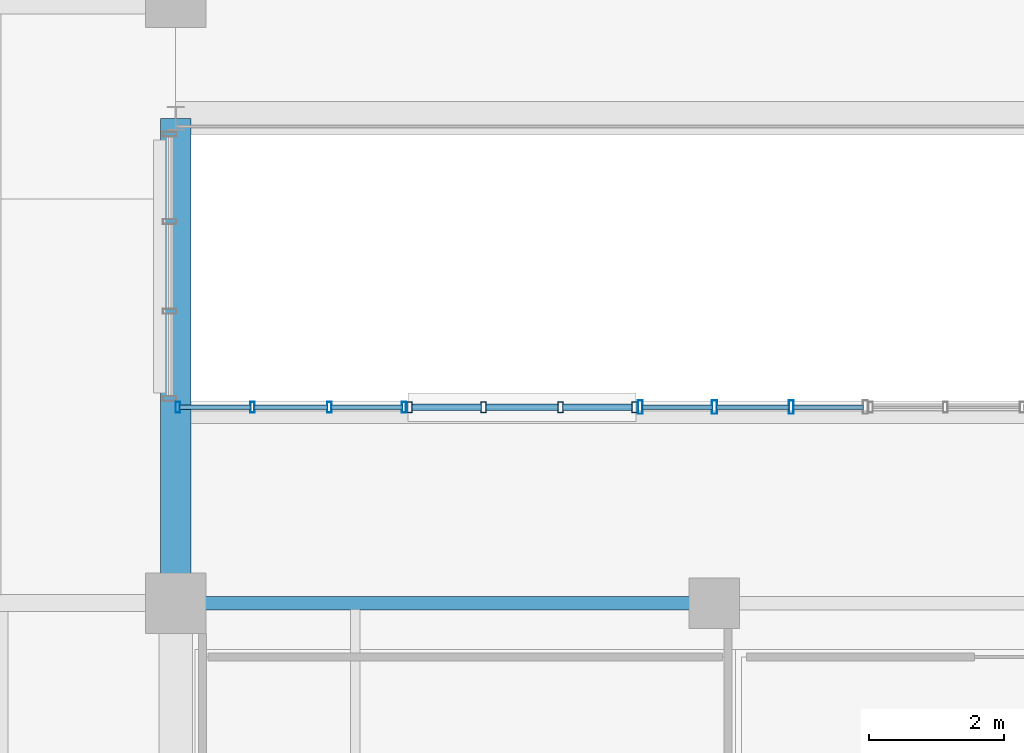
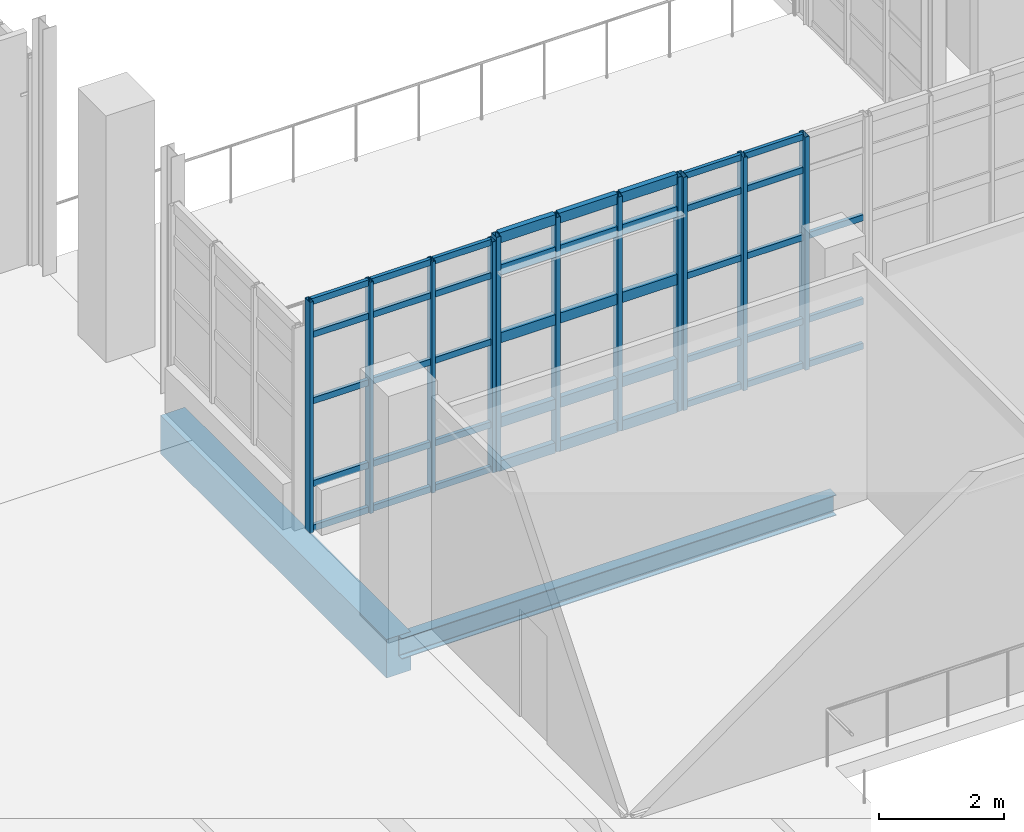
# One storey, part 30 of 127: 54 members, 2 beams, 3 elements without a shape of their own.
"""IFC4 building model written with IfcOpenShell, lengths in metres."""

import ifcopenshell
import ifcopenshell.guid

model = None  # the IFC model being written
_history = None  # IfcOwnerHistory: only IFC2X3 demands one
_inside = {}  # id of a spatial element -> (the spatial element, [elements in it])
_under = {}  # id of a project, library or spatial element -> (it, [spatial elements below it])
_declared = {}  # id of a project -> (the project, [libraries it declares])
_typed = {}  # id of a type object -> (the type object, [elements of that type])
_made_of = {}  # id of a material, layer set ... -> (it, [elements and type objects made of it])


def new_model(schema):
    """Start an empty IFC model of exactly this schema.

    Asked for "IFC4X3", IfcOpenShell would pick the latest addendum, in which some entities
    have other attributes; the version numbers below select the first issue.
    IFC2X3 requires an IfcOwnerHistory on every rooted entity: one is made here for all.
    """
    global model, _history
    if schema == "IFC4X3":
        model = ifcopenshell.file(schema_version=(4, 3, 0, 0))
    else:
        model = ifcopenshell.file(schema=schema)
    _inside.clear()
    _under.clear()
    _declared.clear()
    _typed.clear()
    _made_of.clear()
    _history = None
    if model.schema == "IFC2X3":
        org = make("IfcOrganization", Name="unknown")
        user = make(
            "IfcPersonAndOrganization",
            ThePerson=make("IfcPerson", FamilyName="unknown"),
            TheOrganization=org,
        )
        app = make(
            "IfcApplication",
            ApplicationDeveloper=org,
            Version="unknown",
            ApplicationFullName="unknown",
            ApplicationIdentifier="unknown",
        )
        _history = make(
            "IfcOwnerHistory",
            OwningUser=user,
            OwningApplication=app,
            ChangeAction="ADDED",
            CreationDate=0,
        )
    return model


def make(cls, **values):
    """One entity of the class cls with the attributes given. An attribute that is None is left unset."""
    return model.create_entity(
        cls, **{name: value for name, value in values.items() if value is not None}
    )


def rooted(cls, **values):
    """An entity with a GlobalId (a new one), such as an element, a storey or a relation."""
    return make(cls, GlobalId=ifcopenshell.guid.new(), OwnerHistory=_history, **values)


def si_unit(unit_type, name, prefix=None):
    """IfcSIUnit, for example si_unit("LENGTHUNIT", "METRE", prefix="MILLI")."""
    return make("IfcSIUnit", UnitType=unit_type, Prefix=prefix, Name=name)


def derived_unit(unit_type, elements):
    """IfcDerivedUnit: a product of units, each with its exponent."""
    return make(
        "IfcDerivedUnit",
        Elements=[
            make("IfcDerivedUnitElement", Unit=unit, Exponent=power)
            for unit, power in elements
        ],
        UnitType=unit_type,
    )


def assignment(units):
    """IfcUnitAssignment: the units of a project."""
    return None if units is None else make("IfcUnitAssignment", Units=units)


def point(xyz):
    """IfcCartesianPoint."""
    return None if xyz is None else make("IfcCartesianPoint", Coordinates=xyz)


def direction(xyz):
    """IfcDirection."""
    return None if xyz is None else make("IfcDirection", DirectionRatios=xyz)


def frame(location, z_axis=None, x_axis=None):
    """IfcAxis2Placement3D, a coordinate frame: its origin and axes. An axis left out is left unset."""
    return make(
        "IfcAxis2Placement3D",
        Location=point(location),
        Axis=direction(z_axis),
        RefDirection=direction(x_axis),
    )


def frame_2d(location, x_axis=None):
    """IfcAxis2Placement2D, a coordinate frame in the plane: its origin and x axis."""
    return make(
        "IfcAxis2Placement2D", Location=point(location), RefDirection=direction(x_axis)
    )


def origin():
    """The frame at (0, 0, 0) with its axes left unset."""
    return frame((0.0, 0.0, 0.0))


def origin_2d():
    """The frame at (0, 0) in the plane with its x axis left unset."""
    return frame_2d((0.0, 0.0))


def place(relative_to, where):
    """IfcLocalPlacement: puts the frame where relative to a parent placement (None: the world)."""
    return make(
        "IfcLocalPlacement", PlacementRelTo=relative_to, RelativePlacement=where
    )


def context(
    kind, dimensions, precision=None, world=None, true_north=None, identifier=None
):
    """IfcGeometricRepresentationContext, for example the 3D "Model" context."""
    return make(
        "IfcGeometricRepresentationContext",
        ContextIdentifier=identifier,
        ContextType=kind,
        CoordinateSpaceDimension=dimensions,
        Precision=precision,
        WorldCoordinateSystem=world,
        TrueNorth=true_north,
    )


def subcontext(parent, identifier, kind, view, scale=None):
    """IfcGeometricRepresentationSubContext, for example "Body" below "Model"."""
    return make(
        "IfcGeometricRepresentationSubContext",
        ContextIdentifier=identifier,
        ContextType=kind,
        ParentContext=parent,
        TargetScale=scale,
        TargetView=view,
    )


def project(units=None, contexts=None):
    """IfcProject with its units and contexts."""
    return rooted(
        "IfcProject",
        Name="project",
        RepresentationContexts=contexts,
        UnitsInContext=assignment(units),
    )


def spatial(cls, under=None, at=None, **own):
    """A site, building, storey or space (cls), placed at a placement, below another one or the project."""
    s = rooted(cls, ObjectPlacement=at, **own)
    if under is not None:
        _under.setdefault(under.id(), (under, []))[1].append(s)
    return s


def profile(cls, at=None, kind="AREA", **sizes):
    """A parametric profile (cls). Its sizes go by their IFC names, for example OverallWidth=200.0."""
    return make(cls, ProfileType=kind, Position=at, **sizes)


def rectangle(**sizes):
    """IfcRectangleProfileDef."""
    return profile("IfcRectangleProfileDef", **sizes)


def hollow_rectangle(**sizes):
    """IfcRectangleHollowProfileDef."""
    return profile("IfcRectangleHollowProfileDef", **sizes)


def i_section(**sizes):
    """IfcIShapeProfileDef."""
    return profile("IfcIShapeProfileDef", **sizes)


def extrude(swept, where, along, depth):
    """IfcExtrudedAreaSolid: the profile swept, set in the frame where, extruded along a direction by depth."""
    return make(
        "IfcExtrudedAreaSolid",
        SweptArea=swept,
        Position=where,
        ExtrudedDirection=direction(along),
        Depth=depth,
    )


def shape(context_of_items, identifier, shape_type, items):
    """IfcShapeRepresentation: the items that make up one representation, for example the "Body"."""
    return make(
        "IfcShapeRepresentation",
        ContextOfItems=context_of_items,
        RepresentationIdentifier=identifier,
        RepresentationType=shape_type,
        Items=items,
    )


def material(Name=None, Category=None):
    """IfcMaterial."""
    return make("IfcMaterial", Name=Name, Category=Category)


def layer(
    of_material, thickness, ventilated=None, Name=None, Category=None, Priority=None
):
    """IfcMaterialLayer: one layer of a wall or slab, of a material (None: an air gap)."""
    return make(
        "IfcMaterialLayer",
        Material=of_material,
        LayerThickness=thickness,
        IsVentilated=ventilated,
        Name=Name,
        Category=Category,
        Priority=Priority,
    )


def layer_set(layers, Name=None):
    """IfcMaterialLayerSet."""
    return make("IfcMaterialLayerSet", MaterialLayers=layers, LayerSetName=Name)


def material_profile(
    of_material, cross_section, Name=None, Category=None, Priority=None
):
    """IfcMaterialProfile: a cross section and its material."""
    return make(
        "IfcMaterialProfile",
        Name=Name,
        Material=of_material,
        Profile=cross_section,
        Priority=Priority,
        Category=Category,
    )


def profile_set(profiles, Name=None, composite=None):
    """IfcMaterialProfileSet."""
    return make(
        "IfcMaterialProfileSet",
        Name=Name,
        MaterialProfiles=profiles,
        CompositeProfile=composite,
    )


def made_of(thing, what):
    """Note that an element or type object is made of a material, layer set ...; save() writes the relation."""
    if what is not None:
        _made_of.setdefault(what.id(), (what, []))[1].append(thing)
    return thing


def type_object(cls, material=None, **own):
    """A type object (cls), such as IfcWallType, which elements share."""
    return made_of(rooted(cls, **own), material)


def element(
    cls,
    number,
    at=None,
    inside=None,
    cuts=None,
    type_object=None,
    material=None,
    context=None,
    identifier="Body",
    shape_type=None,
    held_by="IfcProductDefinitionShape",
    body=None,
    shapes=None,
    **own,
):
    """One element of the class cls, such as IfcWall. Its Tag is "e" and its number.

    at: its placement. inside: the storey or other place that contains it. cuts: it is an
    opening in that element (IfcRelVoidsElement). A single representation is given by context,
    identifier, shape_type and body (its items); several are given by shapes. held_by: the class
    of the entity that holds the representations. save() writes the other relations.
    """
    e = rooted(cls, Tag="e%d" % number, ObjectPlacement=at, **own)
    if body is not None:
        shapes = [shape(context, identifier, shape_type, body)]
    if shapes is not None:
        e.Representation = make(held_by, Representations=shapes)
    if inside is not None:
        _inside.setdefault(inside.id(), (inside, []))[1].append(e)
    if cuts is not None:
        rooted(
            "IfcRelVoidsElement", RelatingBuildingElement=cuts, RelatedOpeningElement=e
        )
    if type_object is not None:
        _typed.setdefault(type_object.id(), (type_object, []))[1].append(e)
    return made_of(e, material)


def aggregate(whole, parts):
    """IfcRelAggregates: a whole, such as a stair, and the parts it consists of."""
    return rooted("IfcRelAggregates", RelatingObject=whole, RelatedObjects=parts)


def save(model, path):
    """Write the relations noted so far, then the file.

    IfcRelAggregates (storeys below a building ...), IfcRelContainedInSpatialStructure (elements
    in a storey), IfcRelDefinesByType, IfcRelAssociatesMaterial and IfcRelDeclares: one each for
    every whole, place, type object, material and project.
    """
    for whole, parts in _under.values():
        aggregate(whole, parts)
    for where, things in _inside.values():
        rooted(
            "IfcRelContainedInSpatialStructure",
            RelatedElements=things,
            RelatingStructure=where,
        )
    for kind, things in _typed.values():
        rooted("IfcRelDefinesByType", RelatedObjects=things, RelatingType=kind)
    for what, things in _made_of.values():
        rooted("IfcRelAssociatesMaterial", RelatedObjects=things, RelatingMaterial=what)
    for by, libraries in _declared.values():
        rooted("IfcRelDeclares", RelatingContext=by, RelatedDefinitions=libraries)
    model.write(path)


model = new_model("IFC4")

# Units and contexts
model_context = context("Model", 3, precision=1e-05, world=origin(), true_north=direction((0.0, 1.0)))
body_context = subcontext(model_context, "Body", "Model", "MODEL_VIEW")
ifc_project = project(units=[si_unit("LENGTHUNIT", "METRE"), si_unit("AREAUNIT", "SQUARE_METRE"), si_unit("VOLUMEUNIT", "CUBIC_METRE"), si_unit("PLANEANGLEUNIT", "RADIAN"), si_unit("MASSUNIT", "GRAM", prefix="KILO"), derived_unit("THERMALTRANSMITTANCEUNIT", [(si_unit("POWERUNIT", "WATT"), 1), (si_unit("LENGTHUNIT", "METRE"), -2), (si_unit("THERMODYNAMICTEMPERATUREUNIT", "KELVIN"), -1)])], contexts=[model_context])

# Site, building, storey
site_placement = place(None, origin())
site = spatial("IfcSite", under=ifc_project, at=site_placement, CompositionType="ELEMENT")
building_placement = place(site_placement, origin())
building = spatial("IfcBuilding", under=site, at=building_placement, Name="Nallur Shell Playhouse", CompositionType="ELEMENT")
storey_placement = place(building_placement, frame((0.0, 0.0, 5.39990234375)))
storey = spatial("IfcBuildingStorey", under=building, at=storey_placement, Name="L02", CompositionType="ELEMENT", Elevation=5.39990234375)

# Beams
ifc_material_1 = material(Name="Concrete M35", Category="concrete")
ifc_material_profile_1 = material_profile(ifc_material_1, rectangle(XDim=0.449951171875, YDim=0.75, at=origin_2d()), Name="RC 450x750")
ifc_profile_set_1 = profile_set([ifc_material_profile_1], Name="Concrete M35")
beam_type_1 = type_object("IfcBeamType", Name="BM-RC-450x750", PredefinedType="BEAM", material=ifc_profile_set_1)
beam_1_placement = place(storey_placement, frame((40.0, 41.0, -0.65478515625), z_axis=(0.0, 1.0, 0.0), x_axis=(-1.0, 0.0, 0.0)))
element("IfcBeam", 1, at=beam_1_placement, inside=storey, type_object=beam_type_1, Name="L02 girder Y-5-414", PredefinedType="BEAM", context=body_context, shape_type="SweptSolid", body=[
    extrude(rectangle(XDim=0.449951171875, YDim=0.75, at=origin_2d()), origin(), (0.0, 0.0, 1.0), 7.199951171875),
])
ifc_material_2 = material(Name="Steel E350", Category="steel")
ifc_material_profile_2 = material_profile(ifc_material_2, i_section(OverallWidth=0.199951171875, OverallDepth=0.39990234375, WebThickness=0.008544921875, FlangeThickness=0.012939453125, FilletRadius=0.012939453125, at=origin_2d()), Name="ISWB 400")
ifc_profile_set_2 = profile_set([ifc_material_profile_2], Name="Steel E350")
beam_type_2 = type_object("IfcBeamType", Name="BM-ST-ISWB400", PredefinedType="BEAM", material=ifc_profile_set_2)
beam_2_placement = place(storey_placement, frame((40.0, 41.0, -0.47998046875), z_axis=(1.0, 0.0, 0.0), x_axis=(0.0, 1.0, 0.0)))
element("IfcBeam", 2, at=beam_2_placement, inside=storey, type_object=beam_type_2, Name="L02 girder X-E-341", PredefinedType="BEAM", context=body_context, shape_type="SweptSolid", body=[
    extrude(i_section(OverallWidth=0.199951171875, OverallDepth=0.39990234375, WebThickness=0.008544921875, FlangeThickness=0.012939453125, FilletRadius=0.012939453125, at=origin_2d()), origin(), (0.0, 0.0, 1.0), 8.0),
])

# Curtain wall, members
ifc_material_3 = material(Name="Anodised Aluminium Double-Glazed Facade System", Category="aluminium")
ifc_layer_1 = layer(ifc_material_3, 0.16796875)
ifc_layer_set_1 = layer_set([ifc_layer_1], Name="Anodised Aluminium Double-Glazed Facade System")
curtain_wall_type_1 = type_object("IfcCurtainWallType", Name="CW-UNIT-08", PredefinedType="NOTDEFINED", material=ifc_layer_set_1)
curtain_wall_1_placement = place(storey_placement, origin())
curtain_wall_1 = element("IfcCurtainWall", 3, at=curtain_wall_1_placement, inside=storey, type_object=curtain_wall_type_1, Name="Unitised curtain wall CW-008 (L02)", PredefinedType="NOTDEFINED")
ifc_material_4 = material(Name="Aluminium Alloy 6063-T6 Mullion", Category="aluminium")
ifc_material_profile_3 = material_profile(ifc_material_4, hollow_rectangle(XDim=0.080078125, YDim=0.159912109375, WallThickness=0.006103515625, at=origin_2d()), Name="RHS 160x80x6")
ifc_profile_set_3 = profile_set([ifc_material_profile_3], Name="Aluminium Alloy 6063-T6 Mullion")
member_type_1 = type_object("IfcMemberType", Name="MB-CW-MUL150", PredefinedType="MULLION", material=ifc_profile_set_3)
member_1_placement = place(storey_placement, frame((43.4736328125, 43.909912109375, -0.014892578125), z_axis=(0.0, 0.0, 1.0), x_axis=(1.0, 0.0, 0.0)))
member_1 = element("IfcMember", 4, at=member_1_placement, type_object=member_type_1, Name="CW-08 mullion 1", PredefinedType="MULLION", context=body_context, shape_type="SweptSolid", body=[
    extrude(hollow_rectangle(XDim=0.080078125, YDim=0.159912109375, WallThickness=0.006103515625, at=origin_2d()), origin(), (0.0, 0.0, 1.0), 4.55908203125),
])
member_2_placement = place(storey_placement, frame((44.572998046875, 43.909912109375, -0.014892578125), z_axis=(0.0, 0.0, 1.0), x_axis=(1.0, 0.0, 0.0)))
member_2 = element("IfcMember", 5, at=member_2_placement, type_object=member_type_1, Name="CW-08 mullion 2", PredefinedType="MULLION", context=body_context, shape_type="SweptSolid", body=[
    extrude(hollow_rectangle(XDim=0.080078125, YDim=0.159912109375, WallThickness=0.006103515625, at=origin_2d()), origin(), (0.0, 0.0, 1.0), 4.55908203125),
])
member_3_placement = place(storey_placement, frame((45.712646484375, 43.909912109375, -0.014892578125), z_axis=(0.0, 0.0, 1.0), x_axis=(1.0, 0.0, 0.0)))
member_3 = element("IfcMember", 6, at=member_3_placement, type_object=member_type_1, Name="CW-08 mullion 3", PredefinedType="MULLION", context=body_context, shape_type="SweptSolid", body=[
    extrude(hollow_rectangle(XDim=0.080078125, YDim=0.159912109375, WallThickness=0.006103515625, at=origin_2d()), origin(), (0.0, 0.0, 1.0), 4.55908203125),
])
member_4_placement = place(storey_placement, frame((46.81201171875, 43.909912109375, -0.014892578125), z_axis=(0.0, 0.0, 1.0), x_axis=(1.0, 0.0, 0.0)))
member_4 = element("IfcMember", 7, at=member_4_placement, type_object=member_type_1, Name="CW-08 mullion 4", PredefinedType="MULLION", context=body_context, shape_type="SweptSolid", body=[
    extrude(hollow_rectangle(XDim=0.080078125, YDim=0.159912109375, WallThickness=0.006103515625, at=origin_2d()), origin(), (0.0, 0.0, 1.0), 4.55908203125),
])

ifc_layer_2 = layer(ifc_material_3, 0.1640625)
ifc_layer_set_2 = layer_set([ifc_layer_2], Name="Anodised Aluminium Double-Glazed Facade System")
curtain_wall_type_2 = type_object("IfcCurtainWallType", Name="CW-UNIT-07", PredefinedType="NOTDEFINED", material=ifc_layer_set_2)
curtain_wall_2_placement = place(storey_placement, origin())
curtain_wall_2 = element("IfcCurtainWall", 8, at=curtain_wall_2_placement, inside=storey, type_object=curtain_wall_type_2, Name="Unitised curtain wall CW-007 (L02)", PredefinedType="NOTDEFINED")
ifc_material_profile_4 = material_profile(ifc_material_4, hollow_rectangle(XDim=0.06494140625, YDim=0.159912109375, WallThickness=0.00390625, at=origin_2d()), Name="ALU 65x160x4")
ifc_profile_set_4 = profile_set([ifc_material_profile_4], Name="Aluminium Alloy 6063-T6 Mullion")
member_type_2 = type_object("IfcMemberType", Name="MB-CW-MUL160", PredefinedType="MULLION", material=ifc_profile_set_4)
member_5_placement = place(storey_placement, frame((40.032470703125, 43.909912109375, -0.014892578125), z_axis=(0.0, 0.0, 1.0), x_axis=(1.0, 0.0, 0.0)))
member_5 = element("IfcMember", 9, at=member_5_placement, type_object=member_type_2, Name="CW-07 mullion 1", PredefinedType="MULLION", context=body_context, shape_type="SweptSolid", body=[
    extrude(hollow_rectangle(XDim=0.06494140625, YDim=0.159912109375, WallThickness=0.00390625, at=origin_2d()), origin(), (0.0, 0.0, 1.0), 4.4990234375),
])
member_6_placement = place(storey_placement, frame((41.14111328125, 43.909912109375, -0.014892578125), z_axis=(0.0, 0.0, 1.0), x_axis=(1.0, 0.0, 0.0)))
member_6 = element("IfcMember", 10, at=member_6_placement, type_object=member_type_2, Name="CW-07 mullion 2", PredefinedType="MULLION", context=body_context, shape_type="SweptSolid", body=[
    extrude(hollow_rectangle(XDim=0.06494140625, YDim=0.159912109375, WallThickness=0.00390625, at=origin_2d()), origin(), (0.0, 0.0, 1.0), 4.4990234375),
])
member_7_placement = place(storey_placement, frame((42.282470703125, 43.909912109375, -0.014892578125), z_axis=(0.0, 0.0, 1.0), x_axis=(1.0, 0.0, 0.0)))
member_7 = element("IfcMember", 11, at=member_7_placement, type_object=member_type_2, Name="CW-07 mullion 3", PredefinedType="MULLION", context=body_context, shape_type="SweptSolid", body=[
    extrude(hollow_rectangle(XDim=0.06494140625, YDim=0.159912109375, WallThickness=0.00390625, at=origin_2d()), origin(), (0.0, 0.0, 1.0), 4.4990234375),
])
member_8_placement = place(storey_placement, frame((43.39111328125, 43.909912109375, -0.014892578125), z_axis=(0.0, 0.0, 1.0), x_axis=(1.0, 0.0, 0.0)))
member_8 = element("IfcMember", 12, at=member_8_placement, type_object=member_type_2, Name="CW-07 mullion 4", PredefinedType="MULLION", context=body_context, shape_type="SweptSolid", body=[
    extrude(hollow_rectangle(XDim=0.06494140625, YDim=0.159912109375, WallThickness=0.00390625, at=origin_2d()), origin(), (0.0, 0.0, 1.0), 4.4990234375),
])

ifc_layer_3 = layer(ifc_material_3, 0.172119140625)
ifc_layer_set_3 = layer_set([ifc_layer_3], Name="Anodised Aluminium Double-Glazed Facade System")
curtain_wall_type_3 = type_object("IfcCurtainWallType", Name="CW-UNIT-09", PredefinedType="NOTDEFINED", material=ifc_layer_set_3)
curtain_wall_3_placement = place(storey_placement, origin())
curtain_wall_3 = element("IfcCurtainWall", 13, at=curtain_wall_3_placement, inside=storey, type_object=curtain_wall_type_3, Name="Unitised curtain wall CW-009 (L02)", PredefinedType="NOTDEFINED")
ifc_material_profile_5 = material_profile(ifc_material_4, hollow_rectangle(XDim=0.074951171875, YDim=0.199951171875, WallThickness=0.0048828125, at=origin_2d()), Name="ALU 75x200x5")
ifc_profile_set_5 = profile_set([ifc_material_profile_5], Name="Aluminium Alloy 6063-T6 Mullion")
member_type_3 = type_object("IfcMemberType", Name="MB-CW-MUL180", PredefinedType="MULLION", material=ifc_profile_set_5)
member_9_placement = place(storey_placement, frame((46.899658203125, 43.909912109375, -0.014892578125), z_axis=(0.0, 0.0, 1.0), x_axis=(1.0, 0.0, 0.0)))
member_9 = element("IfcMember", 14, at=member_9_placement, type_object=member_type_3, Name="CW-09 mullion 1", PredefinedType="MULLION", context=body_context, shape_type="SweptSolid", body=[
    extrude(hollow_rectangle(XDim=0.074951171875, YDim=0.199951171875, WallThickness=0.0048828125, at=origin_2d()), origin(), (0.0, 0.0, 1.0), 4.5390625),
])
member_10_placement = place(storey_placement, frame((48.001708984375, 43.909912109375, -0.014892578125), z_axis=(0.0, 0.0, 1.0), x_axis=(1.0, 0.0, 0.0)))
member_10 = element("IfcMember", 15, at=member_10_placement, type_object=member_type_3, Name="CW-09 mullion 2", PredefinedType="MULLION", context=body_context, shape_type="SweptSolid", body=[
    extrude(hollow_rectangle(XDim=0.074951171875, YDim=0.199951171875, WallThickness=0.0048828125, at=origin_2d()), origin(), (0.0, 0.0, 1.0), 4.5390625),
])
member_11_placement = place(storey_placement, frame((49.14111328125, 43.909912109375, -0.014892578125), z_axis=(0.0, 0.0, 1.0), x_axis=(1.0, 0.0, 0.0)))
member_11 = element("IfcMember", 16, at=member_11_placement, type_object=member_type_3, Name="CW-09 mullion 3", PredefinedType="MULLION", context=body_context, shape_type="SweptSolid", body=[
    extrude(hollow_rectangle(XDim=0.074951171875, YDim=0.199951171875, WallThickness=0.0048828125, at=origin_2d()), origin(), (0.0, 0.0, 1.0), 4.5390625),
])

# Member
ifc_material_5 = material(Name="Aluminium Alloy 6063-T6 Transom", Category="aluminium")
ifc_material_profile_6 = material_profile(ifc_material_5, hollow_rectangle(XDim=0.06494140625, YDim=0.1201171875, WallThickness=0.00390625, at=origin_2d()), Name="ALU 65x120x4")
ifc_profile_set_6 = profile_set([ifc_material_profile_6], Name="Aluminium Alloy 6063-T6 Transom")
member_type_4 = type_object("IfcMemberType", Name="MB-CW-TRN120", PredefinedType="USERDEFINED", material=ifc_profile_set_6)
member_12_placement = place(storey_placement, frame((40.056884765625, 43.909912109375, 0.03271484375), z_axis=(1.0, 0.0, 0.0), x_axis=(0.0, 1.0, 0.0)))
member_12 = element("IfcMember", 17, at=member_12_placement, type_object=member_type_4, Name="CW-07 transom 1.1", ObjectType="TRANSOM", PredefinedType="USERDEFINED", context=body_context, shape_type="SweptSolid", body=[
    extrude(hollow_rectangle(XDim=0.06494140625, YDim=0.1201171875, WallThickness=0.00390625, at=origin_2d()), origin(), (0.0, 0.0, 1.0), 1.059814453125),
])

member_13_placement = place(storey_placement, frame((40.056884765625, 43.909912109375, 0.900146484375), z_axis=(1.0, 0.0, 0.0), x_axis=(0.0, 1.0, 0.0)))
member_13 = element("IfcMember", 18, at=member_13_placement, type_object=member_type_4, Name="CW-07 transom 1.2", ObjectType="TRANSOM", PredefinedType="USERDEFINED", context=body_context, shape_type="SweptSolid", body=[
    extrude(hollow_rectangle(XDim=0.06494140625, YDim=0.1201171875, WallThickness=0.00390625, at=origin_2d()), origin(), (0.0, 0.0, 1.0), 1.059814453125),
])

member_14_placement = place(storey_placement, frame((40.056884765625, 43.909912109375, 2.509033203125), z_axis=(1.0, 0.0, 0.0), x_axis=(0.0, 1.0, 0.0)))
member_14 = element("IfcMember", 19, at=member_14_placement, type_object=member_type_4, Name="CW-07 transom 1.3", ObjectType="TRANSOM", PredefinedType="USERDEFINED", context=body_context, shape_type="SweptSolid", body=[
    extrude(hollow_rectangle(XDim=0.06494140625, YDim=0.1201171875, WallThickness=0.00390625, at=origin_2d()), origin(), (0.0, 0.0, 1.0), 1.059814453125),
])

member_15_placement = place(storey_placement, frame((40.056884765625, 43.909912109375, 3.800048828125), z_axis=(1.0, 0.0, 0.0), x_axis=(0.0, 1.0, 0.0)))
member_15 = element("IfcMember", 20, at=member_15_placement, type_object=member_type_4, Name="CW-07 transom 1.4", ObjectType="TRANSOM", PredefinedType="USERDEFINED", context=body_context, shape_type="SweptSolid", body=[
    extrude(hollow_rectangle(XDim=0.06494140625, YDim=0.1201171875, WallThickness=0.00390625, at=origin_2d()), origin(), (0.0, 0.0, 1.0), 1.059814453125),
])

member_16_placement = place(storey_placement, frame((40.056884765625, 43.909912109375, 4.447509765625), z_axis=(1.0, 0.0, 0.0), x_axis=(0.0, 1.0, 0.0)))
member_16 = element("IfcMember", 21, at=member_16_placement, type_object=member_type_4, Name="CW-07 transom 1.5", ObjectType="TRANSOM", PredefinedType="USERDEFINED", context=body_context, shape_type="SweptSolid", body=[
    extrude(hollow_rectangle(XDim=0.06494140625, YDim=0.1201171875, WallThickness=0.00390625, at=origin_2d()), origin(), (0.0, 0.0, 1.0), 1.059814453125),
])

member_17_placement = place(storey_placement, frame((41.165771484375, 43.909912109375, 0.03271484375), z_axis=(1.0, 0.0, 0.0), x_axis=(0.0, 1.0, 0.0)))
member_17 = element("IfcMember", 22, at=member_17_placement, type_object=member_type_4, Name="CW-07 transom 2.1", ObjectType="TRANSOM", PredefinedType="USERDEFINED", context=body_context, shape_type="SweptSolid", body=[
    extrude(hollow_rectangle(XDim=0.06494140625, YDim=0.1201171875, WallThickness=0.00390625, at=origin_2d()), origin(), (0.0, 0.0, 1.0), 1.092041015625),
])

member_18_placement = place(storey_placement, frame((41.165771484375, 43.909912109375, 0.900146484375), z_axis=(1.0, 0.0, 0.0), x_axis=(0.0, 1.0, 0.0)))
member_18 = element("IfcMember", 23, at=member_18_placement, type_object=member_type_4, Name="CW-07 transom 2.2", ObjectType="TRANSOM", PredefinedType="USERDEFINED", context=body_context, shape_type="SweptSolid", body=[
    extrude(hollow_rectangle(XDim=0.06494140625, YDim=0.1201171875, WallThickness=0.00390625, at=origin_2d()), origin(), (0.0, 0.0, 1.0), 1.092041015625),
])

member_19_placement = place(storey_placement, frame((41.165771484375, 43.909912109375, 2.509033203125), z_axis=(1.0, 0.0, 0.0), x_axis=(0.0, 1.0, 0.0)))
member_19 = element("IfcMember", 24, at=member_19_placement, type_object=member_type_4, Name="CW-07 transom 2.3", ObjectType="TRANSOM", PredefinedType="USERDEFINED", context=body_context, shape_type="SweptSolid", body=[
    extrude(hollow_rectangle(XDim=0.06494140625, YDim=0.1201171875, WallThickness=0.00390625, at=origin_2d()), origin(), (0.0, 0.0, 1.0), 1.092041015625),
])

member_20_placement = place(storey_placement, frame((41.165771484375, 43.909912109375, 3.800048828125), z_axis=(1.0, 0.0, 0.0), x_axis=(0.0, 1.0, 0.0)))
member_20 = element("IfcMember", 25, at=member_20_placement, type_object=member_type_4, Name="CW-07 transom 2.4", ObjectType="TRANSOM", PredefinedType="USERDEFINED", context=body_context, shape_type="SweptSolid", body=[
    extrude(hollow_rectangle(XDim=0.06494140625, YDim=0.1201171875, WallThickness=0.00390625, at=origin_2d()), origin(), (0.0, 0.0, 1.0), 1.092041015625),
])

member_21_placement = place(storey_placement, frame((41.165771484375, 43.909912109375, 4.447509765625), z_axis=(1.0, 0.0, 0.0), x_axis=(0.0, 1.0, 0.0)))
member_21 = element("IfcMember", 26, at=member_21_placement, type_object=member_type_4, Name="CW-07 transom 2.5", ObjectType="TRANSOM", PredefinedType="USERDEFINED", context=body_context, shape_type="SweptSolid", body=[
    extrude(hollow_rectangle(XDim=0.06494140625, YDim=0.1201171875, WallThickness=0.00390625, at=origin_2d()), origin(), (0.0, 0.0, 1.0), 1.092041015625),
])

member_22_placement = place(storey_placement, frame((42.306884765625, 43.909912109375, 0.03271484375), z_axis=(1.0, 0.0, 0.0), x_axis=(0.0, 1.0, 0.0)))
member_22 = element("IfcMember", 27, at=member_22_placement, type_object=member_type_4, Name="CW-07 transom 3.1", ObjectType="TRANSOM", PredefinedType="USERDEFINED", context=body_context, shape_type="SweptSolid", body=[
    extrude(hollow_rectangle(XDim=0.06494140625, YDim=0.1201171875, WallThickness=0.00390625, at=origin_2d()), origin(), (0.0, 0.0, 1.0), 1.059814453125),
])

member_23_placement = place(storey_placement, frame((42.306884765625, 43.909912109375, 0.900146484375), z_axis=(1.0, 0.0, 0.0), x_axis=(0.0, 1.0, 0.0)))
member_23 = element("IfcMember", 28, at=member_23_placement, type_object=member_type_4, Name="CW-07 transom 3.2", ObjectType="TRANSOM", PredefinedType="USERDEFINED", context=body_context, shape_type="SweptSolid", body=[
    extrude(hollow_rectangle(XDim=0.06494140625, YDim=0.1201171875, WallThickness=0.00390625, at=origin_2d()), origin(), (0.0, 0.0, 1.0), 1.059814453125),
])

member_24_placement = place(storey_placement, frame((42.306884765625, 43.909912109375, 2.509033203125), z_axis=(1.0, 0.0, 0.0), x_axis=(0.0, 1.0, 0.0)))
member_24 = element("IfcMember", 29, at=member_24_placement, type_object=member_type_4, Name="CW-07 transom 3.3", ObjectType="TRANSOM", PredefinedType="USERDEFINED", context=body_context, shape_type="SweptSolid", body=[
    extrude(hollow_rectangle(XDim=0.06494140625, YDim=0.1201171875, WallThickness=0.00390625, at=origin_2d()), origin(), (0.0, 0.0, 1.0), 1.059814453125),
])

member_25_placement = place(storey_placement, frame((42.306884765625, 43.909912109375, 3.800048828125), z_axis=(1.0, 0.0, 0.0), x_axis=(0.0, 1.0, 0.0)))
member_25 = element("IfcMember", 30, at=member_25_placement, type_object=member_type_4, Name="CW-07 transom 3.4", ObjectType="TRANSOM", PredefinedType="USERDEFINED", context=body_context, shape_type="SweptSolid", body=[
    extrude(hollow_rectangle(XDim=0.06494140625, YDim=0.1201171875, WallThickness=0.00390625, at=origin_2d()), origin(), (0.0, 0.0, 1.0), 1.059814453125),
])

member_26_placement = place(storey_placement, frame((42.306884765625, 43.909912109375, 4.447509765625), z_axis=(1.0, 0.0, 0.0), x_axis=(0.0, 1.0, 0.0)))
member_26 = element("IfcMember", 31, at=member_26_placement, type_object=member_type_4, Name="CW-07 transom 3.5", ObjectType="TRANSOM", PredefinedType="USERDEFINED", context=body_context, shape_type="SweptSolid", body=[
    extrude(hollow_rectangle(XDim=0.06494140625, YDim=0.1201171875, WallThickness=0.00390625, at=origin_2d()), origin(), (0.0, 0.0, 1.0), 1.059814453125),
])

aggregate(curtain_wall_2, [member_5, member_6, member_7, member_8, member_12, member_13, member_14, member_15, member_16, member_17, member_18, member_19, member_20, member_21, member_22, member_23, member_24, member_25, member_26])

member_27_placement = place(storey_placement, frame((46.92919921875, 43.909912109375, 0.03271484375), z_axis=(1.0, 0.0, 0.0), x_axis=(0.0, 1.0, 0.0)))
member_27 = element("IfcMember", 32, at=member_27_placement, type_object=member_type_4, Name="CW-09 transom 1.1", ObjectType="TRANSOM", PredefinedType="USERDEFINED", context=body_context, shape_type="SweptSolid", body=[
    extrude(hollow_rectangle(XDim=0.06494140625, YDim=0.1201171875, WallThickness=0.00390625, at=origin_2d()), origin(), (0.0, 0.0, 1.0), 1.04296875),
])

member_28_placement = place(storey_placement, frame((46.92919921875, 43.909912109375, 0.900146484375), z_axis=(1.0, 0.0, 0.0), x_axis=(0.0, 1.0, 0.0)))
member_28 = element("IfcMember", 33, at=member_28_placement, type_object=member_type_4, Name="CW-09 transom 1.2", ObjectType="TRANSOM", PredefinedType="USERDEFINED", context=body_context, shape_type="SweptSolid", body=[
    extrude(hollow_rectangle(XDim=0.06494140625, YDim=0.1201171875, WallThickness=0.00390625, at=origin_2d()), origin(), (0.0, 0.0, 1.0), 1.04296875),
])

member_29_placement = place(storey_placement, frame((46.92919921875, 43.909912109375, 2.531005859375), z_axis=(1.0, 0.0, 0.0), x_axis=(0.0, 1.0, 0.0)))
member_29 = element("IfcMember", 34, at=member_29_placement, type_object=member_type_4, Name="CW-09 transom 1.3", ObjectType="TRANSOM", PredefinedType="USERDEFINED", context=body_context, shape_type="SweptSolid", body=[
    extrude(hollow_rectangle(XDim=0.06494140625, YDim=0.1201171875, WallThickness=0.00390625, at=origin_2d()), origin(), (0.0, 0.0, 1.0), 1.04296875),
])

member_30_placement = place(storey_placement, frame((46.92919921875, 43.909912109375, 3.840087890625), z_axis=(1.0, 0.0, 0.0), x_axis=(0.0, 1.0, 0.0)))
member_30 = element("IfcMember", 35, at=member_30_placement, type_object=member_type_4, Name="CW-09 transom 1.4", ObjectType="TRANSOM", PredefinedType="USERDEFINED", context=body_context, shape_type="SweptSolid", body=[
    extrude(hollow_rectangle(XDim=0.06494140625, YDim=0.1201171875, WallThickness=0.00390625, at=origin_2d()), origin(), (0.0, 0.0, 1.0), 1.04296875),
])

member_31_placement = place(storey_placement, frame((46.92919921875, 43.909912109375, 4.487548828125), z_axis=(1.0, 0.0, 0.0), x_axis=(0.0, 1.0, 0.0)))
member_31 = element("IfcMember", 36, at=member_31_placement, type_object=member_type_4, Name="CW-09 transom 1.5", ObjectType="TRANSOM", PredefinedType="USERDEFINED", context=body_context, shape_type="SweptSolid", body=[
    extrude(hollow_rectangle(XDim=0.06494140625, YDim=0.1201171875, WallThickness=0.00390625, at=origin_2d()), origin(), (0.0, 0.0, 1.0), 1.04296875),
])

member_32_placement = place(storey_placement, frame((48.03125, 43.909912109375, 0.03271484375), z_axis=(1.0, 0.0, 0.0), x_axis=(0.0, 1.0, 0.0)))
member_32 = element("IfcMember", 37, at=member_32_placement, type_object=member_type_4, Name="CW-09 transom 2.1", ObjectType="TRANSOM", PredefinedType="USERDEFINED", context=body_context, shape_type="SweptSolid", body=[
    extrude(hollow_rectangle(XDim=0.06494140625, YDim=0.1201171875, WallThickness=0.00390625, at=origin_2d()), origin(), (0.0, 0.0, 1.0), 1.080322265625),
])

member_33_placement = place(storey_placement, frame((48.03125, 43.909912109375, 0.900146484375), z_axis=(1.0, 0.0, 0.0), x_axis=(0.0, 1.0, 0.0)))
member_33 = element("IfcMember", 38, at=member_33_placement, type_object=member_type_4, Name="CW-09 transom 2.2", ObjectType="TRANSOM", PredefinedType="USERDEFINED", context=body_context, shape_type="SweptSolid", body=[
    extrude(hollow_rectangle(XDim=0.06494140625, YDim=0.1201171875, WallThickness=0.00390625, at=origin_2d()), origin(), (0.0, 0.0, 1.0), 1.080322265625),
])

member_34_placement = place(storey_placement, frame((48.03125, 43.909912109375, 2.531005859375), z_axis=(1.0, 0.0, 0.0), x_axis=(0.0, 1.0, 0.0)))
member_34 = element("IfcMember", 39, at=member_34_placement, type_object=member_type_4, Name="CW-09 transom 2.3", ObjectType="TRANSOM", PredefinedType="USERDEFINED", context=body_context, shape_type="SweptSolid", body=[
    extrude(hollow_rectangle(XDim=0.06494140625, YDim=0.1201171875, WallThickness=0.00390625, at=origin_2d()), origin(), (0.0, 0.0, 1.0), 1.080322265625),
])

member_35_placement = place(storey_placement, frame((48.03125, 43.909912109375, 3.840087890625), z_axis=(1.0, 0.0, 0.0), x_axis=(0.0, 1.0, 0.0)))
member_35 = element("IfcMember", 40, at=member_35_placement, type_object=member_type_4, Name="CW-09 transom 2.4", ObjectType="TRANSOM", PredefinedType="USERDEFINED", context=body_context, shape_type="SweptSolid", body=[
    extrude(hollow_rectangle(XDim=0.06494140625, YDim=0.1201171875, WallThickness=0.00390625, at=origin_2d()), origin(), (0.0, 0.0, 1.0), 1.080322265625),
])

member_36_placement = place(storey_placement, frame((48.03125, 43.909912109375, 4.487548828125), z_axis=(1.0, 0.0, 0.0), x_axis=(0.0, 1.0, 0.0)))
member_36 = element("IfcMember", 41, at=member_36_placement, type_object=member_type_4, Name="CW-09 transom 2.5", ObjectType="TRANSOM", PredefinedType="USERDEFINED", context=body_context, shape_type="SweptSolid", body=[
    extrude(hollow_rectangle(XDim=0.06494140625, YDim=0.1201171875, WallThickness=0.00390625, at=origin_2d()), origin(), (0.0, 0.0, 1.0), 1.080322265625),
])

member_37_placement = place(storey_placement, frame((49.170654296875, 43.909912109375, 0.03271484375), z_axis=(1.0, 0.0, 0.0), x_axis=(0.0, 1.0, 0.0)))
member_37 = element("IfcMember", 42, at=member_37_placement, type_object=member_type_4, Name="CW-09 transom 3.1", ObjectType="TRANSOM", PredefinedType="USERDEFINED", context=body_context, shape_type="SweptSolid", body=[
    extrude(hollow_rectangle(XDim=0.06494140625, YDim=0.1201171875, WallThickness=0.00390625, at=origin_2d()), origin(), (0.0, 0.0, 1.0), 1.04296875),
])

member_38_placement = place(storey_placement, frame((49.170654296875, 43.909912109375, 0.900146484375), z_axis=(1.0, 0.0, 0.0), x_axis=(0.0, 1.0, 0.0)))
member_38 = element("IfcMember", 43, at=member_38_placement, type_object=member_type_4, Name="CW-09 transom 3.2", ObjectType="TRANSOM", PredefinedType="USERDEFINED", context=body_context, shape_type="SweptSolid", body=[
    extrude(hollow_rectangle(XDim=0.06494140625, YDim=0.1201171875, WallThickness=0.00390625, at=origin_2d()), origin(), (0.0, 0.0, 1.0), 1.04296875),
])

member_39_placement = place(storey_placement, frame((49.170654296875, 43.909912109375, 2.531005859375), z_axis=(1.0, 0.0, 0.0), x_axis=(0.0, 1.0, 0.0)))
member_39 = element("IfcMember", 44, at=member_39_placement, type_object=member_type_4, Name="CW-09 transom 3.3", ObjectType="TRANSOM", PredefinedType="USERDEFINED", context=body_context, shape_type="SweptSolid", body=[
    extrude(hollow_rectangle(XDim=0.06494140625, YDim=0.1201171875, WallThickness=0.00390625, at=origin_2d()), origin(), (0.0, 0.0, 1.0), 1.04296875),
])

aggregate(curtain_wall_3, [member_9, member_10, member_11, member_27, member_28, member_29, member_30, member_31, member_32, member_33, member_34, member_35, member_36, member_37, member_38, member_39])

ifc_material_profile_7 = material_profile(ifc_material_5, hollow_rectangle(XDim=0.10009765625, YDim=0.199951171875, WallThickness=0.008056640625, at=origin_2d()), Name="RHS 200x100x8")
ifc_profile_set_7 = profile_set([ifc_material_profile_7], Name="Aluminium Alloy 6063-T6 Transom")
member_type_5 = type_object("IfcMemberType", Name="MB-CW-TRN140", PredefinedType="USERDEFINED", material=ifc_profile_set_7)
member_40_placement = place(storey_placement, frame((43.505615234375, 43.909912109375, 0.050048828125), z_axis=(1.0, 0.0, 0.0), x_axis=(0.0, 1.0, 0.0)))
member_40 = element("IfcMember", 45, at=member_40_placement, type_object=member_type_5, Name="CW-08 transom 1.1", ObjectType="TRANSOM", PredefinedType="USERDEFINED", context=body_context, shape_type="SweptSolid", body=[
    extrude(hollow_rectangle(XDim=0.10009765625, YDim=0.199951171875, WallThickness=0.008056640625, at=origin_2d()), origin(), (0.0, 0.0, 1.0), 1.035400390625),
])

member_41_placement = place(storey_placement, frame((43.505615234375, 43.909912109375, 0.900146484375), z_axis=(1.0, 0.0, 0.0), x_axis=(0.0, 1.0, 0.0)))
member_41 = element("IfcMember", 46, at=member_41_placement, type_object=member_type_5, Name="CW-08 transom 1.2", ObjectType="TRANSOM", PredefinedType="USERDEFINED", context=body_context, shape_type="SweptSolid", body=[
    extrude(hollow_rectangle(XDim=0.10009765625, YDim=0.199951171875, WallThickness=0.008056640625, at=origin_2d()), origin(), (0.0, 0.0, 1.0), 1.035400390625),
])

member_42_placement = place(storey_placement, frame((43.505615234375, 43.909912109375, 2.5419921875), z_axis=(1.0, 0.0, 0.0), x_axis=(0.0, 1.0, 0.0)))
member_42 = element("IfcMember", 47, at=member_42_placement, type_object=member_type_5, Name="CW-08 transom 1.3", ObjectType="TRANSOM", PredefinedType="USERDEFINED", context=body_context, shape_type="SweptSolid", body=[
    extrude(hollow_rectangle(XDim=0.10009765625, YDim=0.199951171875, WallThickness=0.008056640625, at=origin_2d()), origin(), (0.0, 0.0, 1.0), 1.035400390625),
])

member_43_placement = place(storey_placement, frame((43.505615234375, 43.909912109375, 3.860107421875), z_axis=(1.0, 0.0, 0.0), x_axis=(0.0, 1.0, 0.0)))
member_43 = element("IfcMember", 48, at=member_43_placement, type_object=member_type_5, Name="CW-08 transom 1.4", ObjectType="TRANSOM", PredefinedType="USERDEFINED", context=body_context, shape_type="SweptSolid", body=[
    extrude(hollow_rectangle(XDim=0.10009765625, YDim=0.199951171875, WallThickness=0.008056640625, at=origin_2d()), origin(), (0.0, 0.0, 1.0), 1.035400390625),
])

member_44_placement = place(storey_placement, frame((43.505615234375, 43.909912109375, 4.489990234375), z_axis=(1.0, 0.0, 0.0), x_axis=(0.0, 1.0, 0.0)))
member_44 = element("IfcMember", 49, at=member_44_placement, type_object=member_type_5, Name="CW-08 transom 1.5", ObjectType="TRANSOM", PredefinedType="USERDEFINED", context=body_context, shape_type="SweptSolid", body=[
    extrude(hollow_rectangle(XDim=0.10009765625, YDim=0.199951171875, WallThickness=0.008056640625, at=origin_2d()), origin(), (0.0, 0.0, 1.0), 1.035400390625),
])

member_45_placement = place(storey_placement, frame((44.60498046875, 43.909912109375, 0.050048828125), z_axis=(1.0, 0.0, 0.0), x_axis=(0.0, 1.0, 0.0)))
member_45 = element("IfcMember", 50, at=member_45_placement, type_object=member_type_5, Name="CW-08 transom 2.1", ObjectType="TRANSOM", PredefinedType="USERDEFINED", context=body_context, shape_type="SweptSolid", body=[
    extrude(hollow_rectangle(XDim=0.10009765625, YDim=0.199951171875, WallThickness=0.008056640625, at=origin_2d()), origin(), (0.0, 0.0, 1.0), 1.07568359375),
])

member_46_placement = place(storey_placement, frame((44.60498046875, 43.909912109375, 0.900146484375), z_axis=(1.0, 0.0, 0.0), x_axis=(0.0, 1.0, 0.0)))
member_46 = element("IfcMember", 51, at=member_46_placement, type_object=member_type_5, Name="CW-08 transom 2.2", ObjectType="TRANSOM", PredefinedType="USERDEFINED", context=body_context, shape_type="SweptSolid", body=[
    extrude(hollow_rectangle(XDim=0.10009765625, YDim=0.199951171875, WallThickness=0.008056640625, at=origin_2d()), origin(), (0.0, 0.0, 1.0), 1.07568359375),
])

member_47_placement = place(storey_placement, frame((44.60498046875, 43.909912109375, 2.5419921875), z_axis=(1.0, 0.0, 0.0), x_axis=(0.0, 1.0, 0.0)))
member_47 = element("IfcMember", 52, at=member_47_placement, type_object=member_type_5, Name="CW-08 transom 2.3", ObjectType="TRANSOM", PredefinedType="USERDEFINED", context=body_context, shape_type="SweptSolid", body=[
    extrude(hollow_rectangle(XDim=0.10009765625, YDim=0.199951171875, WallThickness=0.008056640625, at=origin_2d()), origin(), (0.0, 0.0, 1.0), 1.07568359375),
])

member_48_placement = place(storey_placement, frame((44.60498046875, 43.909912109375, 3.860107421875), z_axis=(1.0, 0.0, 0.0), x_axis=(0.0, 1.0, 0.0)))
member_48 = element("IfcMember", 53, at=member_48_placement, type_object=member_type_5, Name="CW-08 transom 2.4", ObjectType="TRANSOM", PredefinedType="USERDEFINED", context=body_context, shape_type="SweptSolid", body=[
    extrude(hollow_rectangle(XDim=0.10009765625, YDim=0.199951171875, WallThickness=0.008056640625, at=origin_2d()), origin(), (0.0, 0.0, 1.0), 1.07568359375),
])

member_49_placement = place(storey_placement, frame((44.60498046875, 43.909912109375, 4.489990234375), z_axis=(1.0, 0.0, 0.0), x_axis=(0.0, 1.0, 0.0)))
member_49 = element("IfcMember", 54, at=member_49_placement, type_object=member_type_5, Name="CW-08 transom 2.5", ObjectType="TRANSOM", PredefinedType="USERDEFINED", context=body_context, shape_type="SweptSolid", body=[
    extrude(hollow_rectangle(XDim=0.10009765625, YDim=0.199951171875, WallThickness=0.008056640625, at=origin_2d()), origin(), (0.0, 0.0, 1.0), 1.07568359375),
])

member_50_placement = place(storey_placement, frame((45.74462890625, 43.909912109375, 0.050048828125), z_axis=(1.0, 0.0, 0.0), x_axis=(0.0, 1.0, 0.0)))
member_50 = element("IfcMember", 55, at=member_50_placement, type_object=member_type_5, Name="CW-08 transom 3.1", ObjectType="TRANSOM", PredefinedType="USERDEFINED", context=body_context, shape_type="SweptSolid", body=[
    extrude(hollow_rectangle(XDim=0.10009765625, YDim=0.199951171875, WallThickness=0.008056640625, at=origin_2d()), origin(), (0.0, 0.0, 1.0), 1.035400390625),
])

member_51_placement = place(storey_placement, frame((45.74462890625, 43.909912109375, 0.900146484375), z_axis=(1.0, 0.0, 0.0), x_axis=(0.0, 1.0, 0.0)))
member_51 = element("IfcMember", 56, at=member_51_placement, type_object=member_type_5, Name="CW-08 transom 3.2", ObjectType="TRANSOM", PredefinedType="USERDEFINED", context=body_context, shape_type="SweptSolid", body=[
    extrude(hollow_rectangle(XDim=0.10009765625, YDim=0.199951171875, WallThickness=0.008056640625, at=origin_2d()), origin(), (0.0, 0.0, 1.0), 1.035400390625),
])

member_52_placement = place(storey_placement, frame((45.74462890625, 43.909912109375, 2.5419921875), z_axis=(1.0, 0.0, 0.0), x_axis=(0.0, 1.0, 0.0)))
member_52 = element("IfcMember", 57, at=member_52_placement, type_object=member_type_5, Name="CW-08 transom 3.3", ObjectType="TRANSOM", PredefinedType="USERDEFINED", context=body_context, shape_type="SweptSolid", body=[
    extrude(hollow_rectangle(XDim=0.10009765625, YDim=0.199951171875, WallThickness=0.008056640625, at=origin_2d()), origin(), (0.0, 0.0, 1.0), 1.035400390625),
])

member_53_placement = place(storey_placement, frame((45.74462890625, 43.909912109375, 3.860107421875), z_axis=(1.0, 0.0, 0.0), x_axis=(0.0, 1.0, 0.0)))
member_53 = element("IfcMember", 58, at=member_53_placement, type_object=member_type_5, Name="CW-08 transom 3.4", ObjectType="TRANSOM", PredefinedType="USERDEFINED", context=body_context, shape_type="SweptSolid", body=[
    extrude(hollow_rectangle(XDim=0.10009765625, YDim=0.199951171875, WallThickness=0.008056640625, at=origin_2d()), origin(), (0.0, 0.0, 1.0), 1.035400390625),
])

member_54_placement = place(storey_placement, frame((45.74462890625, 43.909912109375, 4.489990234375), z_axis=(1.0, 0.0, 0.0), x_axis=(0.0, 1.0, 0.0)))
member_54 = element("IfcMember", 59, at=member_54_placement, type_object=member_type_5, Name="CW-08 transom 3.5", ObjectType="TRANSOM", PredefinedType="USERDEFINED", context=body_context, shape_type="SweptSolid", body=[
    extrude(hollow_rectangle(XDim=0.10009765625, YDim=0.199951171875, WallThickness=0.008056640625, at=origin_2d()), origin(), (0.0, 0.0, 1.0), 1.035400390625),
])

aggregate(curtain_wall_1, [member_1, member_2, member_3, member_4, member_40, member_41, member_42, member_43, member_44, member_45, member_46, member_47, member_48, member_49, member_50, member_51, member_52, member_53, member_54])

save(model, "model.ifc")
